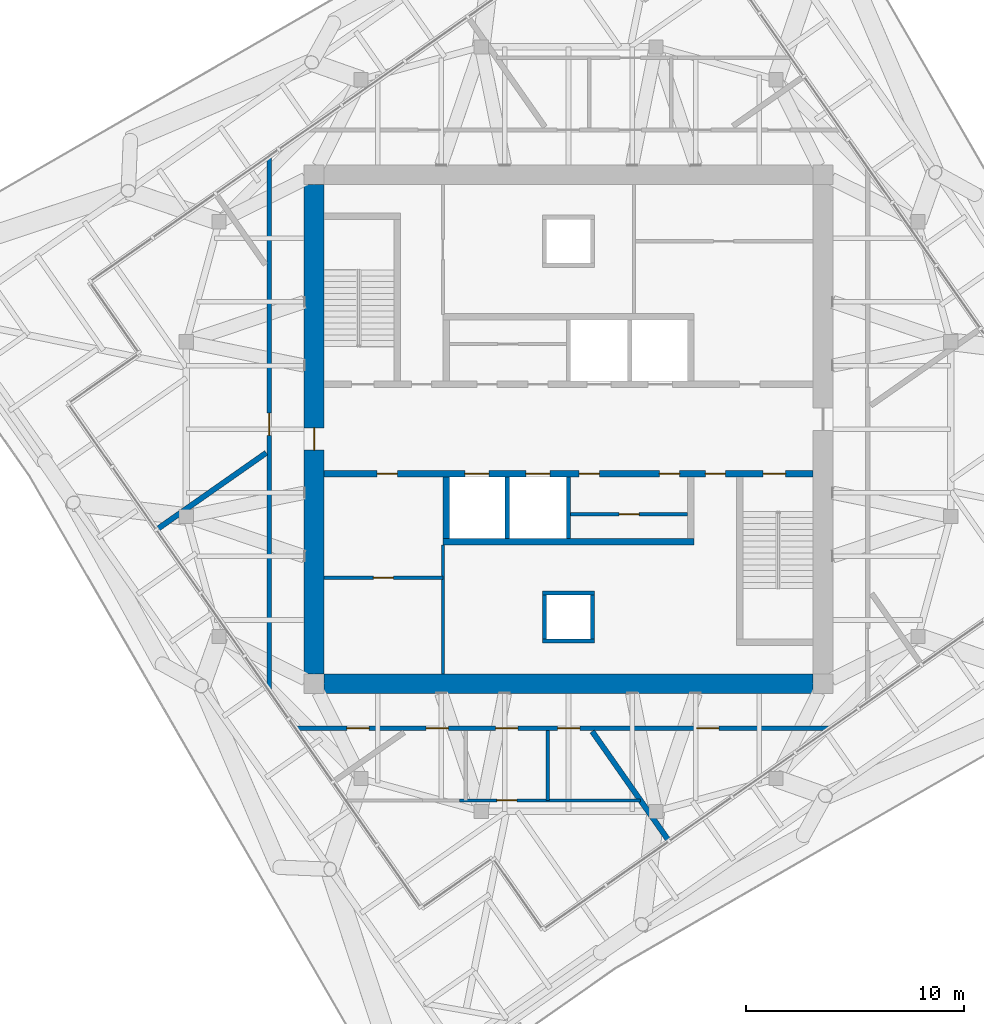
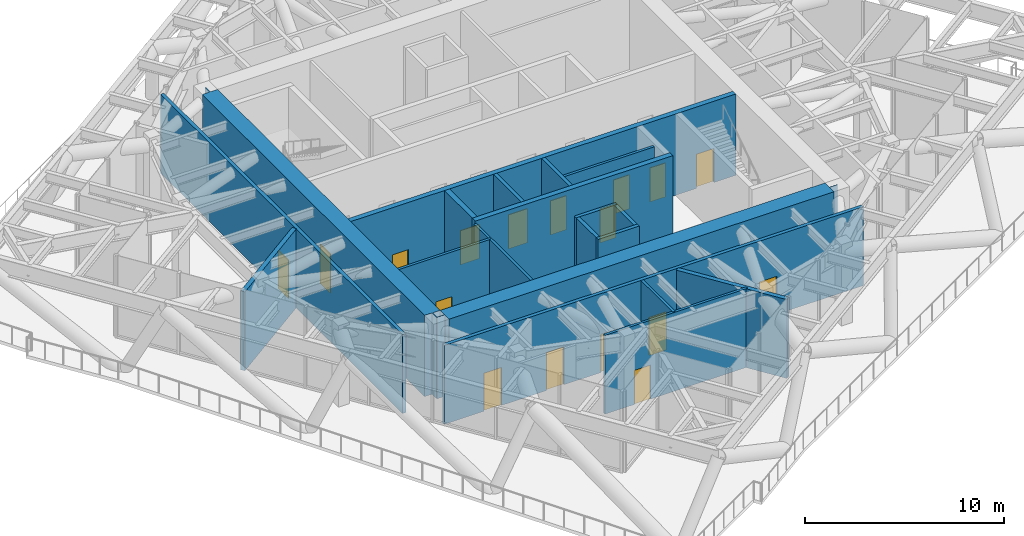
# One storey, part 8 of 16: 20 walls, 17 doors, 17 openings.
"""IFC4 building model written with IfcOpenShell, lengths in metres."""

from ifc_helpers import new_model, si_unit, direction, frame, frame_2d, origin, place, context, subcontext, project, spatial, polyline, rectangle, outline, extrude, material, layer, layer_set, type_object, element, fill, save


model = new_model("IFC4")

# Units and contexts
model_context = context("Model", 3, precision=1e-05, world=origin(), true_north=direction((0.0, 1.0)))
body_context = subcontext(model_context, "Body", "Model", "MODEL_VIEW")
ifc_project = project(units=[si_unit("LENGTHUNIT", "METRE"), si_unit("AREAUNIT", "SQUARE_METRE"), si_unit("VOLUMEUNIT", "CUBIC_METRE"), si_unit("PLANEANGLEUNIT", "RADIAN"), si_unit("MASSUNIT", "GRAM", prefix="KILO")], contexts=[model_context])

# Site, building, storey
site_placement = place(None, origin())
site = spatial("IfcSite", under=ifc_project, at=site_placement, CompositionType="ELEMENT")
building_placement = place(site_placement, origin())
building = spatial("IfcBuilding", under=site, at=building_placement, Name="Torsade Residences", CompositionType="ELEMENT")
storey_placement = place(building_placement, frame((0.0, 0.0, 235.39990234375)))
storey = spatial("IfcBuildingStorey", under=building, at=storey_placement, Name="L65", CompositionType="ELEMENT", Elevation=235.39990234375)

# Wall, openings, doors
ifc_material_1 = material(Name="Concrete 80 MPa", Category="concrete")
ifc_layer_1 = layer(ifc_material_1, 0.300048828125)
ifc_layer_set_1 = layer_set([ifc_layer_1], Name="Concrete 80 MPa")
wall_type_1 = type_object("IfcWallType", Name="CORE INTERNAL WALL 300", PredefinedType="SHEAR", material=ifc_layer_set_1)
wall_1_placement = place(storey_placement, frame((51.199951171875, 27.949951171875, 0.0), z_axis=(0.0, 0.0, 1.0), x_axis=(-1.0, 0.0, 0.0)))
wall_1 = element("IfcWall", 1, at=wall_1_placement, inside=storey, type_object=wall_type_1, Name="Core wall LS L65", PredefinedType="SHEAR", context=body_context, shape_type="SweptSolid", body=[
    extrude(rectangle(XDim=22.39990234375, YDim=0.300048828125, at=frame_2d((11.199951171875, 0.0))), origin(), (0.0, 0.0, 1.0), 5.0),
])
opening_1_placement = place(wall_1_placement, frame((19.0400390625, 0.0, 0.0)))
opening_1 = element("IfcOpeningElement", 2, at=opening_1_placement, cuts=wall_1, Name="Opening D06", PredefinedType="OPENING", context=body_context, shape_type="SweptSolid", body=[
    extrude(rectangle(XDim=0.919921875, YDim=2.10009765625, at=frame_2d((0.4599609375, 1.050048828125))), frame((0.0, 0.159912109375, 0.0), z_axis=(0.0, -1.0, 0.0), x_axis=(1.0, 0.0, 0.0)), (0.0, 0.0, 1.0), 0.320068359375),
])
opening_2_placement = place(wall_1_placement, frame((1.264892578125, 0.0, 0.0)))
opening_2 = element("IfcOpeningElement", 3, at=opening_2_placement, cuts=wall_1, Name="Opening D03", PredefinedType="OPENING", context=body_context, shape_type="SweptSolid", body=[
    extrude(rectangle(XDim=1.02001953125, YDim=2.10009765625, at=frame_2d((0.510009765625, 1.050048828125))), frame((0.0, 0.159912109375, 0.0), z_axis=(0.0, -1.0, 0.0), x_axis=(1.0, 0.0, 0.0)), (0.0, 0.0, 1.0), 0.320068359375),
])
opening_3_placement = place(wall_1_placement, frame((4.014892578125, 0.0, 0.0)))
opening_3 = element("IfcOpeningElement", 4, at=opening_3_placement, cuts=wall_1, Name="Opening D06", PredefinedType="OPENING", context=body_context, shape_type="SweptSolid", body=[
    extrude(rectangle(XDim=0.919921875, YDim=2.10009765625, at=frame_2d((0.4599609375, 1.050048828125))), frame((0.0, 0.159912109375, 0.0), z_axis=(0.0, -1.0, 0.0), x_axis=(1.0, 0.0, 0.0)), (0.0, 0.0, 1.0), 0.320068359375),
])
opening_4_placement = place(wall_1_placement, frame((9.7900390625, 0.0, 0.0)))
opening_4 = element("IfcOpeningElement", 5, at=opening_4_placement, cuts=wall_1, Name="Opening D06", PredefinedType="OPENING", context=body_context, shape_type="SweptSolid", body=[
    extrude(rectangle(XDim=0.919921875, YDim=2.10009765625, at=frame_2d((0.4599609375, 1.050048828125))), frame((0.0, 0.159912109375, 0.0), z_axis=(0.0, -1.0, 0.0), x_axis=(1.0, 0.0, 0.0)), (0.0, 0.0, 1.0), 0.320068359375),
])
opening_5_placement = place(wall_1_placement, frame((6.114990234375, 0.0, 0.0)))
opening_5 = element("IfcOpeningElement", 6, at=opening_5_placement, cuts=wall_1, Name="Opening D06", PredefinedType="OPENING", context=body_context, shape_type="SweptSolid", body=[
    extrude(rectangle(XDim=0.919921875, YDim=2.10009765625, at=frame_2d((0.4599609375, 1.050048828125))), frame((0.0, 0.159912109375, 0.0), z_axis=(0.0, -1.0, 0.0), x_axis=(1.0, 0.0, 0.0)), (0.0, 0.0, 1.0), 0.320068359375),
])
opening_6_placement = place(wall_1_placement, frame((12.050048828125, 0.0, 0.0)))
opening_6 = element("IfcOpeningElement", 7, at=opening_6_placement, cuts=wall_1, Name="Opening LD", PredefinedType="OPENING", context=body_context, shape_type="SweptSolid", body=[
    extrude(rectangle(XDim=1.10009765625, YDim=2.10009765625, at=frame_2d((0.550048828125, 1.050048828125))), frame((0.0, 0.159912109375, 0.0), z_axis=(0.0, -1.0, 0.0), x_axis=(1.0, 0.0, 0.0)), (0.0, 0.0, 1.0), 0.320068359375),
])
opening_7_placement = place(wall_1_placement, frame((14.85009765625, 0.0, 0.0)))
opening_7 = element("IfcOpeningElement", 8, at=opening_7_placement, cuts=wall_1, Name="Opening LD", PredefinedType="OPENING", context=body_context, shape_type="SweptSolid", body=[
    extrude(rectangle(XDim=1.10009765625, YDim=2.10009765625, at=frame_2d((0.550048828125, 1.050048828125))), frame((0.0, 0.159912109375, 0.0), z_axis=(0.0, -1.0, 0.0), x_axis=(1.0, 0.0, 0.0)), (0.0, 0.0, 1.0), 0.320068359375),
])
ifc_material_2 = material(Name="Steel-framed fire door", Category="steel")
door_type_1 = type_object("IfcDoorType", Name="FIRE DOOR 1020", OperationType="NOTDEFINED", PredefinedType="DOOR", material=ifc_material_2)
door_1_placement = place(opening_2_placement, origin())
door_1 = element("IfcDoor", 9, at=door_1_placement, inside=storey, type_object=door_type_1, Name="Exit door to fire-isolated stair ST2 L65", OperationType="SINGLE_SWING_RIGHT", OverallHeight=2.10009765625, OverallWidth=1.02001953125, PredefinedType="DOOR", context=body_context, shape_type="SweptSolid", body=[
    extrude(rectangle(XDim=1.02001953125, YDim=2.10009765625, at=frame_2d((0.510009765625, 1.050048828125))), frame((0.0, 0.02490234375, 0.0), z_axis=(0.0, -1.0, 0.0), x_axis=(1.0, 0.0, 0.0)), (0.0, 0.0, 1.0), 0.050048828125),
])
fill(opening_2, door_1)
ifc_material_3 = material(Name="Steel-framed fire door", Category="steel")
door_type_2 = type_object("IfcDoorType", Name="FIRE DOOR 920", OperationType="NOTDEFINED", PredefinedType="DOOR", material=ifc_material_3)
door_2_placement = place(opening_1_placement, origin())
door_2 = element("IfcDoor", 10, at=door_2_placement, inside=storey, type_object=door_type_2, Name="Door Lift lobby to Cleaner store", OperationType="SINGLE_SWING_LEFT", OverallHeight=2.10009765625, OverallWidth=0.919921875, PredefinedType="DOOR", context=body_context, shape_type="SweptSolid", body=[
    extrude(rectangle(XDim=0.919921875, YDim=2.10009765625, at=frame_2d((0.4599609375, 1.050048828125))), frame((0.0, 0.02490234375, 0.0), z_axis=(0.0, -1.0, 0.0), x_axis=(1.0, 0.0, 0.0)), (0.0, 0.0, 1.0), 0.050048828125),
])
fill(opening_1, door_2)
door_3_placement = place(opening_3_placement, origin())
door_3 = element("IfcDoor", 11, at=door_3_placement, inside=storey, type_object=door_type_2, Name="Door Lift lobby to Communications riser room", OperationType="SINGLE_SWING_RIGHT", OverallHeight=2.10009765625, OverallWidth=0.919921875, PredefinedType="DOOR", context=body_context, shape_type="SweptSolid", body=[
    extrude(rectangle(XDim=0.919921875, YDim=2.10009765625, at=frame_2d((0.4599609375, 1.050048828125))), frame((0.0, 0.02490234375, 0.0), z_axis=(0.0, -1.0, 0.0), x_axis=(1.0, 0.0, 0.0)), (0.0, 0.0, 1.0), 0.050048828125),
])
fill(opening_3, door_3)
door_4_placement = place(opening_4_placement, origin())
door_4 = element("IfcDoor", 12, at=door_4_placement, inside=storey, type_object=door_type_2, Name="Door Lift lobby to Building manager store L65C", OperationType="SINGLE_SWING_RIGHT", OverallHeight=2.10009765625, OverallWidth=0.919921875, PredefinedType="DOOR", context=body_context, shape_type="SweptSolid", body=[
    extrude(rectangle(XDim=0.919921875, YDim=2.10009765625, at=frame_2d((0.4599609375, 1.050048828125))), frame((0.0, 0.02490234375, 0.0), z_axis=(0.0, -1.0, 0.0), x_axis=(1.0, 0.0, 0.0)), (0.0, 0.0, 1.0), 0.050048828125),
])
fill(opening_4, door_4)
door_5_placement = place(opening_5_placement, origin())
door_5 = element("IfcDoor", 13, at=door_5_placement, inside=storey, type_object=door_type_2, Name="Door Lift lobby to Building manager store L65C", OperationType="SINGLE_SWING_LEFT", OverallHeight=2.10009765625, OverallWidth=0.919921875, PredefinedType="DOOR", context=body_context, shape_type="SweptSolid", body=[
    extrude(rectangle(XDim=0.919921875, YDim=2.10009765625, at=frame_2d((0.4599609375, 1.050048828125))), frame((0.0, 0.02490234375, 0.0), z_axis=(0.0, -1.0, 0.0), x_axis=(1.0, 0.0, 0.0)), (0.0, 0.0, 1.0), 0.050048828125),
])
fill(opening_5, door_5)
ifc_material_4 = material(Name="Stainless steel lift landing door", Category="steel")
door_type_3 = type_object("IfcDoorType", Name="LIFT LANDING DOOR 1100", OperationType="SLIDING_TO_LEFT", PredefinedType="DOOR", material=ifc_material_4)
door_6_placement = place(opening_6_placement, origin())
door_6 = element("IfcDoor", 14, at=door_6_placement, inside=storey, type_object=door_type_3, Name="Lift LB3 landing door L65", OperationType="SLIDING_TO_LEFT", OverallHeight=2.10009765625, OverallWidth=1.10009765625, PredefinedType="DOOR", context=body_context, shape_type="SweptSolid", body=[
    extrude(rectangle(XDim=1.10009765625, YDim=2.10009765625, at=frame_2d((0.550048828125, 1.050048828125))), frame((0.0, 0.02490234375, 0.0), z_axis=(0.0, -1.0, 0.0), x_axis=(1.0, 0.0, 0.0)), (0.0, 0.0, 1.0), 0.050048828125),
])
fill(opening_6, door_6)
door_7_placement = place(opening_7_placement, origin())
door_7 = element("IfcDoor", 15, at=door_7_placement, inside=storey, type_object=door_type_3, Name="Lift FL2 landing door L65", OperationType="SLIDING_TO_LEFT", OverallHeight=2.10009765625, OverallWidth=1.10009765625, PredefinedType="DOOR", context=body_context, shape_type="SweptSolid", body=[
    extrude(rectangle(XDim=1.10009765625, YDim=2.10009765625, at=frame_2d((0.550048828125, 1.050048828125))), frame((0.0, 0.02490234375, 0.0), z_axis=(0.0, -1.0, 0.0), x_axis=(1.0, 0.0, 0.0)), (0.0, 0.0, 1.0), 0.050048828125),
])
fill(opening_7, door_7)

# Walls
wall_2_placement = place(storey_placement, frame((45.75, 24.85009765625, 0.0), z_axis=(0.0, 0.0, 1.0), x_axis=(-1.0, 0.0, 0.0)))
element("IfcWall", 16, at=wall_2_placement, inside=storey, type_object=wall_type_1, Name="Core wall BS L65", PredefinedType="SHEAR", context=body_context, shape_type="SweptSolid", body=[
    extrude(rectangle(XDim=11.5, YDim=0.300048828125, at=frame_2d((5.75, 0.0))), origin(), (0.0, 0.0, 1.0), 5.0),
])
wall_3_placement = place(storey_placement, frame((34.39990234375, 27.800048828125, 0.0), z_axis=(0.0, 0.0, 1.0), x_axis=(0.0, -1.0, 0.0)))
element("IfcWall", 17, at=wall_3_placement, inside=storey, type_object=wall_type_1, Name="Core wall DS4 L65", PredefinedType="SHEAR", context=body_context, shape_type="SweptSolid", body=[
    extrude(rectangle(XDim=2.800048828125, YDim=0.300048828125, at=frame_2d((1.39990234375, 0.0))), origin(), (0.0, 0.0, 1.0), 5.0),
])
ifc_material_5 = material(Name="Concrete 80 MPa", Category="concrete")
ifc_layer_2 = layer(ifc_material_5, 0.89990234375)
ifc_layer_set_2 = layer_set([ifc_layer_2], Name="Concrete 80 MPa")
wall_type_2 = type_object("IfcWallType", Name="CORE WALL 900", PredefinedType="SHEAR", material=ifc_layer_set_2)
wall_4_placement = place(storey_placement, frame((51.199951171875, 18.35009765625, 0.0), z_axis=(0.0, 0.0, 1.0), x_axis=(-1.0, 0.0, 0.0)))
element("IfcWall", 18, at=wall_4_placement, inside=storey, type_object=wall_type_2, Name="Core wall S L65", PredefinedType="SHEAR", context=body_context, shape_type="SweptSolid", body=[
    extrude(outline(polyline([(0.0, -0.449951171875), (22.39990234375, -0.449951171875), (22.39990234375, -0.02490234375), (22.849853515625, -0.02490234375), (22.849853515625, 0.02490234375), (22.39990234375, 0.02490234375), (22.39990234375, 0.449951171875), (0.0, 0.449951171875), (0.0, 0.02490234375), (-0.449951171875, 0.02490234375), (-0.449951171875, -0.02490234375), (0.0, -0.02490234375), (0.0, -0.449951171875)])), origin(), (0.0, 0.0, 1.0), 5.0),
])

# Wall, opening, door
wall_5_placement = place(storey_placement, frame((28.35009765625, 41.199951171875, 0.0), z_axis=(0.0, 0.0, 1.0), x_axis=(0.0, -1.0, 0.0)))
wall_5 = element("IfcWall", 19, at=wall_5_placement, inside=storey, type_object=wall_type_2, Name="Core wall W L65", PredefinedType="SHEAR", context=body_context, shape_type="SweptSolid", body=[
    extrude(outline(polyline([(0.0, -0.449951171875), (22.39990234375, -0.449951171875), (22.39990234375, -0.02490234375), (22.849853515625, -0.02490234375), (22.849853515625, 0.02490234375), (22.39990234375, 0.02490234375), (22.39990234375, 0.449951171875), (0.0, 0.449951171875), (0.0, 0.02490234375), (-0.449951171875, 0.02490234375), (-0.449951171875, -0.02490234375), (0.0, -0.02490234375), (0.0, -0.449951171875)])), origin(), (0.0, 0.0, 1.0), 5.0),
])
opening_8_placement = place(wall_5_placement, frame((11.139892578125, 0.0, 0.0)))
opening_8 = element("IfcOpeningElement", 20, at=opening_8_placement, cuts=wall_5, Name="Opening D04", PredefinedType="OPENING", context=body_context, shape_type="SweptSolid", body=[
    extrude(rectangle(XDim=1.02001953125, YDim=2.39990234375, at=frame_2d((0.510009765625, 1.199951171875))), frame((0.0, 0.4599609375, 0.0), z_axis=(0.0, -1.0, 0.0), x_axis=(1.0, 0.0, 0.0)), (0.0, 0.0, 1.0), 0.919921875),
])
ifc_material_6 = material(Name="Steel-framed fire door", Category="steel")
door_type_4 = type_object("IfcDoorType", Name="LOBBY SMOKE DOOR 1020x2400", OperationType="NOTDEFINED", PredefinedType="DOOR", material=ifc_material_6)
door_8_placement = place(opening_8_placement, origin())
door_8 = element("IfcDoor", 21, at=door_8_placement, inside=storey, type_object=door_type_4, Name="Lift lobby door W L65", OperationType="SINGLE_SWING_RIGHT", OverallHeight=2.39990234375, OverallWidth=1.02001953125, PredefinedType="DOOR", context=body_context, shape_type="SweptSolid", body=[
    extrude(rectangle(XDim=1.02001953125, YDim=2.39990234375, at=frame_2d((0.510009765625, 1.199951171875))), frame((0.0, 0.02490234375, 0.0), z_axis=(0.0, -1.0, 0.0), x_axis=(1.0, 0.0, 0.0)), (0.0, 0.0, 1.0), 0.050048828125),
])
fill(opening_8, door_8)

# Wall, openings, doors
ifc_material_7 = material(Name="Plasterboard on steel stud", Category="steel")
ifc_layer_3 = layer(ifc_material_7, 0.199951171875)
ifc_layer_set_3 = layer_set([ifc_layer_3], Name="Plasterboard on steel stud")
wall_type_3 = type_object("IfcWallType", Name="CORRIDOR WALL 200", PredefinedType="PARTITIONING", material=ifc_layer_set_3)
wall_6_placement = place(storey_placement, frame((27.545654296875, 16.300048828125, 0.0), z_axis=(0.0, 0.0, 1.0), x_axis=(1.0, 0.0, 0.0)))
wall_6 = element("IfcWall", 22, at=wall_6_placement, inside=storey, type_object=wall_type_3, Name="Corridor wall L65", PredefinedType="PARTITIONING", context=body_context, shape_type="SweptSolid", body=[
    extrude(rectangle(XDim=24.37548828125, YDim=0.199951171875, at=frame_2d((12.187744140625, 0.0))), origin(), (0.0, 0.0, 1.0), 4.85009765625),
])
opening_9_placement = place(wall_6_placement, frame((18.316650390625, 0.0, 0.0)))
opening_9 = element("IfcOpeningElement", 23, at=opening_9_placement, cuts=wall_6, Name="Opening D01", PredefinedType="OPENING", context=body_context, shape_type="SweptSolid", body=[
    extrude(rectangle(XDim=1.02001953125, YDim=2.340087890625, at=frame_2d((0.510009765625, 1.169921875))), frame((0.0, 0.10986328125, 0.0), z_axis=(0.0, -1.0, 0.0), x_axis=(1.0, 0.0, 0.0)), (0.0, 0.0, 1.0), 0.219970703125),
])
opening_10_placement = place(wall_6_placement, frame((2.309814453125, 0.0, 0.0)))
opening_10 = element("IfcOpeningElement", 24, at=opening_10_placement, cuts=wall_6, Name="Opening D01", PredefinedType="OPENING", context=body_context, shape_type="SweptSolid", body=[
    extrude(rectangle(XDim=1.02001953125, YDim=2.340087890625, at=frame_2d((0.510009765625, 1.169921875))), frame((0.0, 0.10986328125, 0.0), z_axis=(0.0, -1.0, 0.0), x_axis=(1.0, 0.0, 0.0)), (0.0, 0.0, 1.0), 0.219970703125),
])
opening_11_placement = place(wall_6_placement, frame((9.119384765625, 0.0, 0.0)))
opening_11 = element("IfcOpeningElement", 25, at=opening_11_placement, cuts=wall_6, Name="Opening D01", PredefinedType="OPENING", context=body_context, shape_type="SweptSolid", body=[
    extrude(rectangle(XDim=1.02001953125, YDim=2.340087890625, at=frame_2d((0.510009765625, 1.169921875))), frame((0.0, 0.10986328125, 0.0), z_axis=(0.0, -1.0, 0.0), x_axis=(1.0, 0.0, 0.0)), (0.0, 0.0, 1.0), 0.219970703125),
])
opening_12_placement = place(wall_6_placement, frame((5.933837890625, 0.0, 0.0)))
opening_12 = element("IfcOpeningElement", 26, at=opening_12_placement, cuts=wall_6, Name="Opening D01", PredefinedType="OPENING", context=body_context, shape_type="SweptSolid", body=[
    extrude(rectangle(XDim=1.02001953125, YDim=2.340087890625, at=frame_2d((0.510009765625, 1.169921875))), frame((0.0, 0.10986328125, 0.0), z_axis=(0.0, -1.0, 0.0), x_axis=(1.0, 0.0, 0.0)), (0.0, 0.0, 1.0), 0.219970703125),
])
opening_13_placement = place(wall_6_placement, frame((11.95703125, 0.0, 0.0)))
opening_13 = element("IfcOpeningElement", 27, at=opening_13_placement, cuts=wall_6, Name="Opening D01", PredefinedType="OPENING", context=body_context, shape_type="SweptSolid", body=[
    extrude(rectangle(XDim=1.02001953125, YDim=2.340087890625, at=frame_2d((0.510009765625, 1.169921875))), frame((0.0, 0.10986328125, 0.0), z_axis=(0.0, -1.0, 0.0), x_axis=(1.0, 0.0, 0.0)), (0.0, 0.0, 1.0), 0.219970703125),
])
ifc_material_8 = material(Name="Solid-core timber fire door", Category="wood")
door_type_5 = type_object("IfcDoorType", Name="APARTMENT ENTRY DOOR 1020x2340", OperationType="NOTDEFINED", PredefinedType="DOOR", material=ifc_material_8)
door_9_placement = place(opening_9_placement, origin())
door_9 = element("IfcDoor", 28, at=door_9_placement, inside=storey, type_object=door_type_5, Name="Door Plant corridor to Mechanical plant room", OperationType="SINGLE_SWING_LEFT", OverallHeight=2.340087890625, OverallWidth=1.02001953125, PredefinedType="DOOR", context=body_context, shape_type="SweptSolid", body=[
    extrude(rectangle(XDim=1.02001953125, YDim=2.340087890625, at=frame_2d((0.510009765625, 1.169921875))), frame((0.0, 0.02490234375, 0.0), z_axis=(0.0, -1.0, 0.0), x_axis=(1.0, 0.0, 0.0)), (0.0, 0.0, 1.0), 0.050048828125),
])
fill(opening_9, door_9)
door_10_placement = place(opening_10_placement, origin())
door_10 = element("IfcDoor", 29, at=door_10_placement, inside=storey, type_object=door_type_5, Name="Door Plant corridor to Refuge area", OperationType="SINGLE_SWING_LEFT", OverallHeight=2.340087890625, OverallWidth=1.02001953125, PredefinedType="DOOR", context=body_context, shape_type="SweptSolid", body=[
    extrude(rectangle(XDim=1.02001953125, YDim=2.340087890625, at=frame_2d((0.510009765625, 1.169921875))), frame((0.0, 0.02490234375, 0.0), z_axis=(0.0, -1.0, 0.0), x_axis=(1.0, 0.0, 0.0)), (0.0, 0.0, 1.0), 0.050048828125),
])
fill(opening_10, door_10)
door_11_placement = place(opening_11_placement, origin())
door_11 = element("IfcDoor", 30, at=door_11_placement, inside=storey, type_object=door_type_5, Name="Door Plant corridor to Service lobby", OperationType="SINGLE_SWING_RIGHT", OverallHeight=2.340087890625, OverallWidth=1.02001953125, PredefinedType="DOOR", context=body_context, shape_type="SweptSolid", body=[
    extrude(rectangle(XDim=1.02001953125, YDim=2.340087890625, at=frame_2d((0.510009765625, 1.169921875))), frame((0.0, 0.02490234375, 0.0), z_axis=(0.0, -1.0, 0.0), x_axis=(1.0, 0.0, 0.0)), (0.0, 0.0, 1.0), 0.050048828125),
])
fill(opening_11, door_11)
door_12_placement = place(opening_12_placement, origin())
door_12 = element("IfcDoor", 31, at=door_12_placement, inside=storey, type_object=door_type_5, Name="Door Plant corridor to Plant cupboard", OperationType="SINGLE_SWING_RIGHT", OverallHeight=2.340087890625, OverallWidth=1.02001953125, PredefinedType="DOOR", context=body_context, shape_type="SweptSolid", body=[
    extrude(rectangle(XDim=1.02001953125, YDim=2.340087890625, at=frame_2d((0.510009765625, 1.169921875))), frame((0.0, 0.02490234375, 0.0), z_axis=(0.0, -1.0, 0.0), x_axis=(1.0, 0.0, 0.0)), (0.0, 0.0, 1.0), 0.050048828125),
])
fill(opening_12, door_12)
door_13_placement = place(opening_13_placement, origin())
door_13 = element("IfcDoor", 32, at=door_13_placement, inside=storey, type_object=door_type_5, Name="Door Plant corridor to Store", OperationType="SINGLE_SWING_RIGHT", OverallHeight=2.340087890625, OverallWidth=1.02001953125, PredefinedType="DOOR", context=body_context, shape_type="SweptSolid", body=[
    extrude(rectangle(XDim=1.02001953125, YDim=2.340087890625, at=frame_2d((0.510009765625, 1.169921875))), frame((0.0, 0.02490234375, 0.0), z_axis=(0.0, -1.0, 0.0), x_axis=(1.0, 0.0, 0.0)), (0.0, 0.0, 1.0), 0.050048828125),
])
fill(opening_13, door_13)

# Wall, opening, door
wall_7_placement = place(storey_placement, frame((26.300048828125, 42.454345703125, 0.0), z_axis=(0.0, 0.0, 1.0), x_axis=(0.0, -1.0, 0.0)))
wall_7 = element("IfcWall", 33, at=wall_7_placement, inside=storey, type_object=wall_type_3, Name="Corridor wall L65", PredefinedType="PARTITIONING", context=body_context, shape_type="SweptSolid", body=[
    extrude(rectangle(XDim=24.37548828125, YDim=0.199951171875, at=frame_2d((12.187744140625, 0.0))), origin(), (0.0, 0.0, 1.0), 4.85009765625),
])
opening_14_placement = place(wall_7_placement, frame((11.724609375, 0.0, 0.0)))
opening_14 = element("IfcOpeningElement", 34, at=opening_14_placement, cuts=wall_7, Name="Opening D01", PredefinedType="OPENING", context=body_context, shape_type="SweptSolid", body=[
    extrude(rectangle(XDim=1.02001953125, YDim=2.340087890625, at=frame_2d((0.510009765625, 1.169921875))), frame((0.0, 0.10986328125, 0.0), z_axis=(0.0, -1.0, 0.0), x_axis=(1.0, 0.0, 0.0)), (0.0, 0.0, 1.0), 0.219970703125),
])
door_14_placement = place(opening_14_placement, origin())
door_14 = element("IfcDoor", 35, at=door_14_placement, inside=storey, type_object=door_type_5, Name="Door Plant corridor to Refuge area", OperationType="SINGLE_SWING_LEFT", OverallHeight=2.340087890625, OverallWidth=1.02001953125, PredefinedType="DOOR", context=body_context, shape_type="SweptSolid", body=[
    extrude(rectangle(XDim=1.02001953125, YDim=2.340087890625, at=frame_2d((0.510009765625, 1.169921875))), frame((0.0, 0.02490234375, 0.0), z_axis=(0.0, -1.0, 0.0), x_axis=(1.0, 0.0, 0.0)), (0.0, 0.0, 1.0), 0.050048828125),
])
fill(opening_14, door_14)

# Walls
ifc_material_9 = material(Name="Reinforced blockwork", Category="masonry")
ifc_layer_4 = layer(ifc_material_9, 0.199951171875)
ifc_layer_set_4 = layer_set([ifc_layer_4], Name="Reinforced blockwork")
wall_type_4 = type_object("IfcWallType", Name="LIFT SHAFT DIVIDING WALL 200", PredefinedType="SOLIDWALL", material=ifc_layer_set_4)
for number, where, z_axis, x_axis, name in (
    (36, (40.0, 27.800048828125, 0.0), (0.0, 0.0, 1.0), (0.0, -1.0, 0.0), "Core wall DS2 L65"),
    (37, (37.199951171875, 27.800048828125, 0.0), (0.0, 0.0, 1.0), (0.0, -1.0, 0.0), "Core wall DS3 L65"),
):
    element("IfcWall", number, at=place(storey_placement, frame(where, z_axis=z_axis, x_axis=x_axis)), inside=storey, type_object=wall_type_4, Name=name, PredefinedType="SOLIDWALL", context=body_context, shape_type="SweptSolid", body=[
        extrude(rectangle(XDim=2.800048828125, YDim=0.199951171875, at=frame_2d((1.39990234375, 0.0))), origin(), (0.0, 0.0, 1.0), 5.0),
    ])
ifc_material_10 = material(Name="Masonry-lined stud party wall", Category="masonry")
ifc_layer_5 = layer(ifc_material_10, 0.25)
ifc_layer_set_5 = layer_set([ifc_layer_5], Name="Masonry-lined stud party wall")
wall_type_5 = type_object("IfcWallType", Name="PARTY WALL 250", PredefinedType="PARTITIONING", material=ifc_layer_set_5)
for number, where, z_axis, x_axis, name in (
    (38, (44.606689453125, 11.129638671875, 0.0), (0.0, 0.0, 1.0), (-0.573561042841, 0.819162822725, 0.0), "Party wall L65"),
    (39, (21.129638671875, 25.393310546875, 0.0), (0.0, 0.0, 1.0), (0.819162822725, 0.573561042841, 0.0), "Party wall L65"),
):
    element("IfcWall", number, at=place(storey_placement, frame(where, z_axis=z_axis, x_axis=x_axis)), inside=storey, type_object=wall_type_5, Name=name, PredefinedType="PARTITIONING", context=body_context, shape_type="SweptSolid", body=[
        extrude(rectangle(XDim=6.142333984375, YDim=0.25, at=frame_2d((3.0712890625, 0.0))), origin(), (0.0, 0.0, 1.0), 4.85009765625),
    ])
ifc_material_11 = material(Name="Reinforced blockwork", Category="masonry")
ifc_layer_6 = layer(ifc_material_11, 0.199951171875)
ifc_layer_set_6 = layer_set([ifc_layer_6], Name="Reinforced blockwork")
wall_type_6 = type_object("IfcWallType", Name="RISER SHAFT WALL 200", PredefinedType="SOLIDWALL", material=ifc_layer_set_6)
for number, where, z_axis, x_axis, name in (
    (40, (38.89990234375, 22.39990234375, 0.0), (0.0, 0.0, 1.0), (0.0, -1.0, 0.0), "Core wall RS2a L65"),
    (41, (41.10009765625, 22.39990234375, 0.0), (0.0, 0.0, 1.0), (0.0, -1.0, 0.0), "Core wall RS2b L65"),
):
    element("IfcWall", number, at=place(storey_placement, frame(where, z_axis=z_axis, x_axis=x_axis)), inside=storey, type_object=wall_type_6, Name=name, PredefinedType="SOLIDWALL", context=body_context, shape_type="SweptSolid", body=[
        extrude(rectangle(XDim=2.0, YDim=0.199951171875, at=frame_2d((1.0, 0.0))), origin(), (0.0, 0.0, 1.0), 5.0),
    ])
for number, where, z_axis, x_axis, name in (
    (42, (38.800048828125, 22.5, 0.0), (0.0, 0.0, 1.0), (1.0, 0.0, 0.0), "Core wall RS2c L65"),
    (43, (38.800048828125, 20.300048828125, 0.0), (0.0, 0.0, 1.0), (1.0, 0.0, 0.0), "Core wall RS2d L65"),
):
    element("IfcWall", number, at=place(storey_placement, frame(where, z_axis=z_axis, x_axis=x_axis)), inside=storey, type_object=wall_type_6, Name=name, PredefinedType="SOLIDWALL", context=body_context, shape_type="SweptSolid", body=[
        extrude(rectangle(XDim=2.39990234375, YDim=0.199951171875, at=frame_2d((1.199951171875, 0.0))), origin(), (0.0, 0.0, 1.0), 5.0),
    ])
ifc_material_12 = material(Name="Reinforced blockwork", Category="masonry")
ifc_layer_7 = layer(ifc_material_12, 0.14990234375)
ifc_layer_set_7 = layer_set([ifc_layer_7], Name="Reinforced blockwork")
wall_type_7 = type_object("IfcWallType", Name="SERVICE ROOM WALL 150", PredefinedType="SOLIDWALL", material=ifc_layer_set_7)
wall_8_placement = place(storey_placement, frame((34.25, 18.800048828125, 0.0), z_axis=(0.0, 0.0, 1.0), x_axis=(0.0, 1.0, 0.0)))
element("IfcWall", 44, at=wall_8_placement, inside=storey, type_object=wall_type_7, Name="Service room wall L65", PredefinedType="SOLIDWALL", context=body_context, shape_type="SweptSolid", body=[
    extrude(rectangle(XDim=5.89990234375, YDim=0.14990234375, at=frame_2d((2.949951171875, 0.0))), origin(), (0.0, 0.0, 1.0), 4.85009765625),
])

# Wall, opening, door
wall_9_placement = place(storey_placement, frame((34.25, 23.199951171875, 0.0), z_axis=(0.0, 0.0, 1.0), x_axis=(-1.0, 0.0, 0.0)))
wall_9 = element("IfcWall", 45, at=wall_9_placement, inside=storey, type_object=wall_type_7, Name="Service room wall L65", PredefinedType="SOLIDWALL", context=body_context, shape_type="SweptSolid", body=[
    extrude(rectangle(XDim=5.449951171875, YDim=0.14990234375, at=frame_2d((2.72509765625, 0.0))), origin(), (0.0, 0.0, 1.0), 4.85009765625),
])
opening_15_placement = place(wall_9_placement, frame((2.264892578125, 0.0, 0.0)))
opening_15 = element("IfcOpeningElement", 46, at=opening_15_placement, cuts=wall_9, Name="Opening D06", PredefinedType="OPENING", context=body_context, shape_type="SweptSolid", body=[
    extrude(rectangle(XDim=0.919921875, YDim=2.10009765625, at=frame_2d((0.4599609375, 1.050048828125))), frame((0.0, 0.0849609375, 0.0), z_axis=(0.0, -1.0, 0.0), x_axis=(1.0, 0.0, 0.0)), (0.0, 0.0, 1.0), 0.169921875),
])
door_15_placement = place(opening_15_placement, origin())
door_15 = element("IfcDoor", 47, at=door_15_placement, inside=storey, type_object=door_type_2, Name="Door Cleaner store to Building store", OperationType="SINGLE_SWING_LEFT", OverallHeight=2.10009765625, OverallWidth=0.919921875, PredefinedType="DOOR", context=body_context, shape_type="SweptSolid", body=[
    extrude(rectangle(XDim=0.919921875, YDim=2.10009765625, at=frame_2d((0.4599609375, 1.050048828125))), frame((0.0, 0.02490234375, 0.0), z_axis=(0.0, -1.0, 0.0), x_axis=(1.0, 0.0, 0.0)), (0.0, 0.0, 1.0), 0.050048828125),
])
fill(opening_15, door_15)

# Wall
wall_10_placement = place(storey_placement, frame((39.0537109375, 16.199951171875, 0.0), z_axis=(0.0, 0.0, 1.0), x_axis=(0.0, -1.0, 0.0)))
element("IfcWall", 48, at=wall_10_placement, inside=storey, type_object=wall_type_7, Name="Service room wall L65", PredefinedType="SOLIDWALL", context=body_context, shape_type="SweptSolid", body=[
    extrude(rectangle(XDim=3.199951171875, YDim=0.14990234375, at=frame_2d((1.60009765625, 0.0))), origin(), (0.0, 0.0, 1.0), 4.85009765625),
])

# Wall, opening, door
wall_11_placement = place(storey_placement, frame((43.297119140625, 13.0, 0.0), z_axis=(0.0, 0.0, 1.0), x_axis=(-1.0, 0.0, 0.0)))
wall_11 = element("IfcWall", 49, at=wall_11_placement, inside=storey, type_object=wall_type_7, Name="Service room wall L65", PredefinedType="SOLIDWALL", context=body_context, shape_type="SweptSolid", body=[
    extrude(rectangle(XDim=8.285400390625, YDim=0.14990234375, at=frame_2d((4.142578125, 0.0))), origin(), (0.0, 0.0, 1.0), 4.85009765625),
])
opening_16_placement = place(wall_11_placement, frame((5.661865234375, 0.0, 0.0)))
opening_16 = element("IfcOpeningElement", 50, at=opening_16_placement, cuts=wall_11, Name="Opening D06", PredefinedType="OPENING", context=body_context, shape_type="SweptSolid", body=[
    extrude(rectangle(XDim=0.919921875, YDim=2.10009765625, at=frame_2d((0.4599609375, 1.050048828125))), frame((0.0, 0.0849609375, 0.0), z_axis=(0.0, -1.0, 0.0), x_axis=(1.0, 0.0, 0.0)), (0.0, 0.0, 1.0), 0.169921875),
])
door_16_placement = place(opening_16_placement, origin())
door_16 = element("IfcDoor", 51, at=door_16_placement, inside=storey, type_object=door_type_2, Name="Door Service lobby to Mechanical plant room", OperationType="SINGLE_SWING_RIGHT", OverallHeight=2.10009765625, OverallWidth=0.919921875, PredefinedType="DOOR", context=body_context, shape_type="SweptSolid", body=[
    extrude(rectangle(XDim=0.919921875, YDim=2.10009765625, at=frame_2d((0.4599609375, 1.050048828125))), frame((0.0, 0.02490234375, 0.0), z_axis=(0.0, -1.0, 0.0), x_axis=(1.0, 0.0, 0.0)), (0.0, 0.0, 1.0), 0.050048828125),
])
fill(opening_16, door_16)

wall_12_placement = place(storey_placement, frame((40.10009765625, 26.10009765625, 0.0), z_axis=(0.0, 0.0, 1.0), x_axis=(1.0, 0.0, 0.0)))
wall_12 = element("IfcWall", 52, at=wall_12_placement, inside=storey, type_object=wall_type_7, Name="Service room wall L65", PredefinedType="SOLIDWALL", context=body_context, shape_type="SweptSolid", body=[
    extrude(rectangle(XDim=5.349853515625, YDim=0.14990234375, at=frame_2d((2.6748046875, 0.0))), origin(), (0.0, 0.0, 1.0), 4.85009765625),
])
opening_17_placement = place(wall_12_placement, frame((2.215087890625, 0.0, 0.0)))
opening_17 = element("IfcOpeningElement", 53, at=opening_17_placement, cuts=wall_12, Name="Opening D06", PredefinedType="OPENING", context=body_context, shape_type="SweptSolid", body=[
    extrude(rectangle(XDim=0.919921875, YDim=2.10009765625, at=frame_2d((0.4599609375, 1.050048828125))), frame((0.0, 0.0849609375, 0.0), z_axis=(0.0, -1.0, 0.0), x_axis=(1.0, 0.0, 0.0)), (0.0, 0.0, 1.0), 0.169921875),
])
door_17_placement = place(opening_17_placement, origin())
door_17 = element("IfcDoor", 54, at=door_17_placement, inside=storey, type_object=door_type_2, Name="Door Building manager store L65C to Equipment store L65D", OperationType="SINGLE_SWING_LEFT", OverallHeight=2.10009765625, OverallWidth=0.919921875, PredefinedType="DOOR", context=body_context, shape_type="SweptSolid", body=[
    extrude(rectangle(XDim=0.919921875, YDim=2.10009765625, at=frame_2d((0.4599609375, 1.050048828125))), frame((0.0, 0.02490234375, 0.0), z_axis=(0.0, -1.0, 0.0), x_axis=(1.0, 0.0, 0.0)), (0.0, 0.0, 1.0), 0.050048828125),
])
fill(opening_17, door_17)

save(model, "model.ifc")
